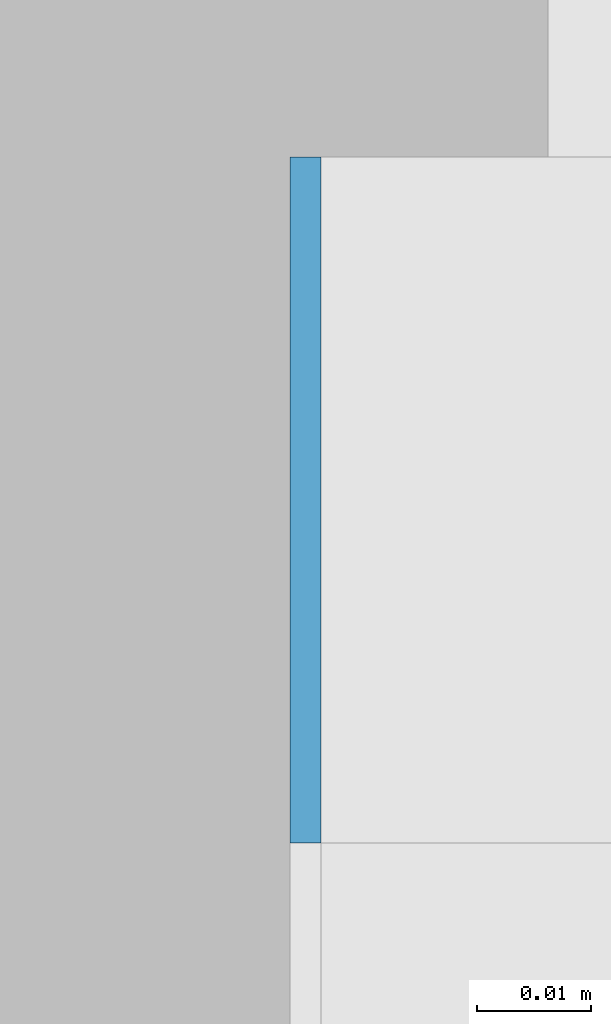
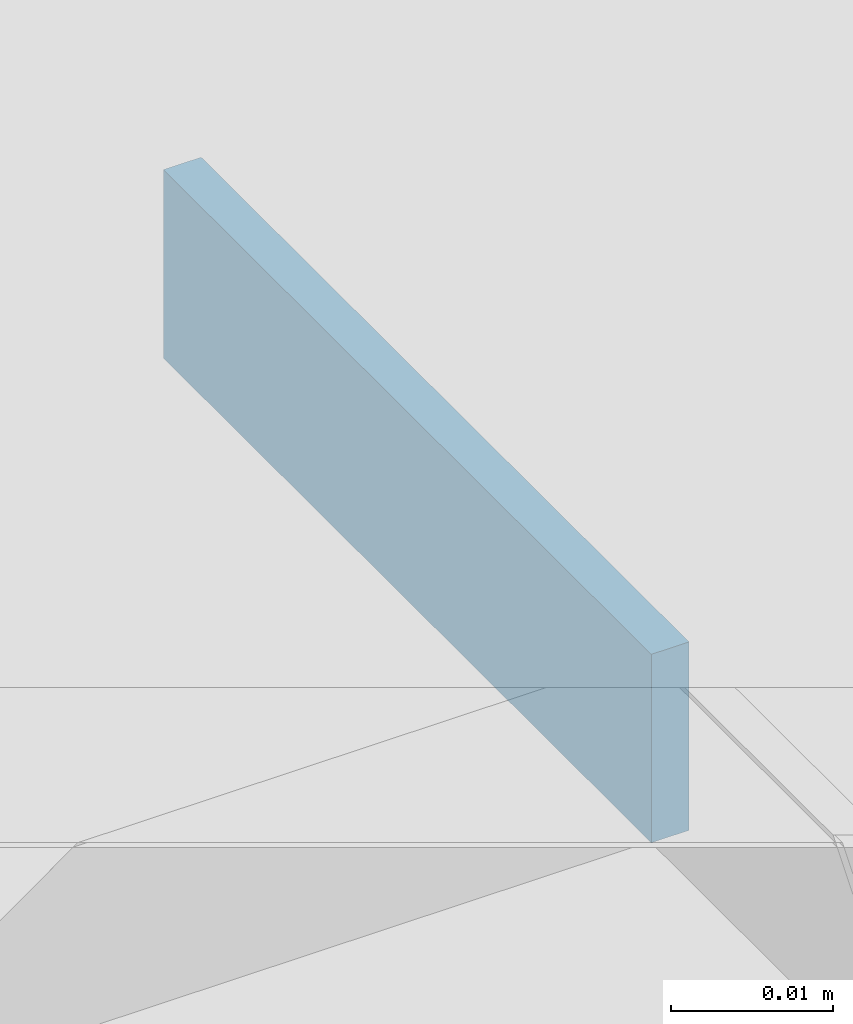
# One storey, part 605 of 646: 1 discrete accessory.
"""IFC4 building model written with IfcOpenShell, lengths in metres."""

from ifc_helpers import new_model, si_unit, direction, frame, origin, origin_2d, place, context, subcontext, project, spatial, rectangle, extrude, material, type_object, element, save


model = new_model("IFC4")

# Units and contexts
model_context = context("Model", 3, precision=1e-05, world=origin(), true_north=direction((0.0, 1.0)))
body_context = subcontext(model_context, "Body", "Model", "MODEL_VIEW")
ifc_project = project(units=[si_unit("LENGTHUNIT", "METRE"), si_unit("AREAUNIT", "SQUARE_METRE"), si_unit("VOLUMEUNIT", "CUBIC_METRE"), si_unit("PLANEANGLEUNIT", "RADIAN"), si_unit("MASSUNIT", "GRAM", prefix="KILO")], contexts=[model_context])

# Site, building, storey
site_placement = place(None, origin())
site = spatial("IfcSite", under=ifc_project, at=site_placement, CompositionType="ELEMENT")
building_placement = place(site_placement, origin())
building = spatial("IfcBuilding", under=site, at=building_placement, Name="Silverbay Arena", CompositionType="ELEMENT")
storey_placement = place(building_placement, frame((0.0, 0.0, 33.5)))
storey = spatial("IfcBuildingStorey", under=building, at=storey_placement, Name="L05", CompositionType="ELEMENT", Elevation=33.5)

# Discrete accessory
ifc_material = material(Name="Steel S355", Category="steel")
discrete_accessory_type = type_object("IfcDiscreteAccessoryType", Name="Steel bracket plate", PredefinedType="BRACKET", material=ifc_material)
discrete_accessory_placement = place(storey_placement, frame((207.128662109375, 126.030029296875, 12.98583984375), z_axis=(0.0, 0.0, 1.0), x_axis=(1.0, 0.0, 0.0)))
element("IfcDiscreteAccessory", 1, at=discrete_accessory_placement, inside=storey, type_object=discrete_accessory_type, Name="Curtain wall packing plate", PredefinedType="BRACKET", context=body_context, shape_type="SweptSolid", body=[
    extrude(rectangle(XDim=0.002685546875, YDim=0.06005859375, at=origin_2d()), origin(), (0.0, 0.0, 1.0), 0.01416015625),
])

save(model, "model.ifc")
